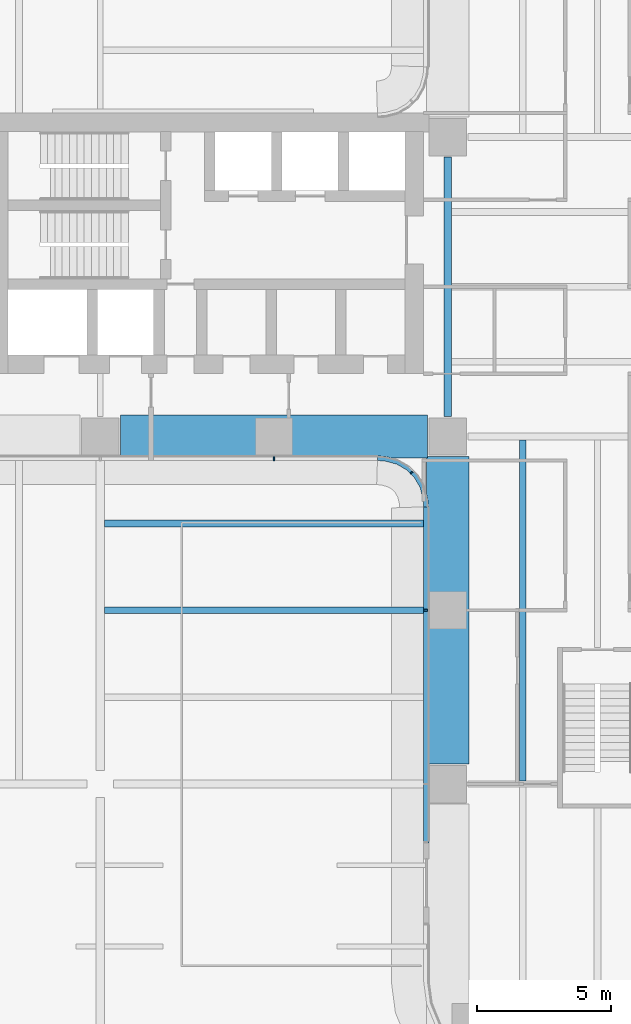
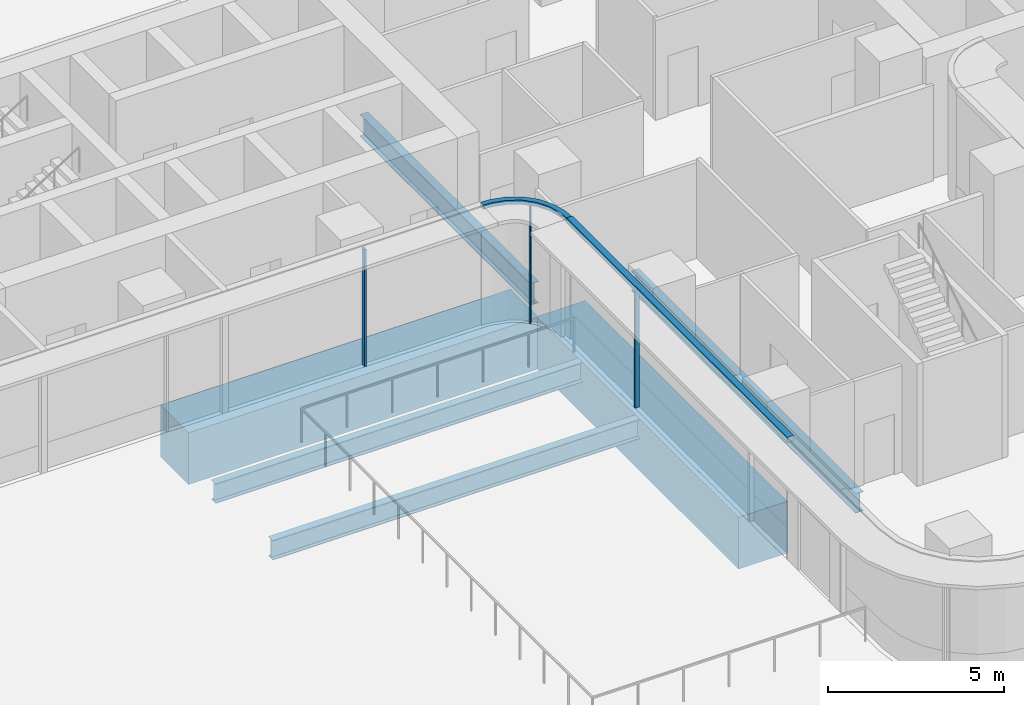
# One storey, part 4 of 29: 6 beams, 5 members, 3 elements without a shape of their own.
"""IFC4 building model written with IfcOpenShell, lengths in metres."""

from ifc_helpers import new_model, si_unit, direction, frame, origin, origin_2d, place, context, subcontext, project, spatial, polyline, rectangle, i_section, outline, extrude, source, transform, mapped, material, layer, layer_set, material_profile, profile_set, type_object, element, aggregate, save


model = new_model("IFC4")

# Units and contexts
model_context = context("Model", 3, precision=1e-05, world=origin(), true_north=direction((0.0, 1.0)))
body_context = subcontext(model_context, "Body", "Model", "MODEL_VIEW")
ifc_project = project(units=[si_unit("LENGTHUNIT", "METRE"), si_unit("AREAUNIT", "SQUARE_METRE"), si_unit("VOLUMEUNIT", "CUBIC_METRE"), si_unit("PLANEANGLEUNIT", "RADIAN"), si_unit("MASSUNIT", "GRAM", prefix="KILO")], contexts=[model_context])

# Site, building, storey
site_placement = place(None, origin())
site = spatial("IfcSite", under=ifc_project, at=site_placement, CompositionType="ELEMENT")
building_placement = place(site_placement, origin())
building = spatial("IfcBuilding", under=site, at=building_placement, Name="Trellis Farm Tower", CompositionType="ELEMENT")
storey_placement = place(building_placement, frame((0.0, 0.0, 34.0)))
storey = spatial("IfcBuildingStorey", under=building, at=storey_placement, Name="L06", CompositionType="ELEMENT", Elevation=34.0)

# Beams
ifc_material_1 = material(Name="Steel S355", Category="steel")
ifc_material_profile_1 = material_profile(ifc_material_1, i_section(OverallWidth=0.253662109375, OverallDepth=0.68359375, WebThickness=0.012451171875, FlangeThickness=0.021728515625, FilletRadius=0.01513671875, at=origin_2d()), Name="UB 686x254x140")
ifc_profile_set_1 = profile_set([ifc_material_profile_1], Name="Steel S355")
beam_type_1 = type_object("IfcBeamType", Name="UB 686x254x140 joist", PredefinedType="JOIST", material=ifc_profile_set_1)
shared_shape_1 = source(origin(), body_context, "Body", "SweptSolid", [
    extrude(i_section(OverallWidth=0.253662109375, OverallDepth=0.68359375, WebThickness=0.012451171875, FlangeThickness=0.021728515625, FilletRadius=0.01513671875, at=origin_2d()), origin(), (0.0, 0.0, 1.0), 12.761962890625),
])
beam_1_placement = place(storey_placement, frame((-2.800048828125, -18.495361328125, -0.691650390625), z_axis=(0.0, 1.0, 0.0), x_axis=(-1.0, 0.0, 0.0)))
element("IfcBeam", 1, at=beam_1_placement, inside=storey, type_object=beam_type_1, Name="Floor beam", PredefinedType="JOIST", context=body_context, shape_type="MappedRepresentation", body=[
    mapped(shared_shape_1, transform((0.0, 0.0, 0.0))),
])
ifc_material_profile_2 = material_profile(ifc_material_1, i_section(OverallWidth=0.2666015625, OverallDepth=0.76220703125, WebThickness=0.014404296875, FlangeThickness=0.021484375, FilletRadius=0.0166015625, at=origin_2d()), Name="UB 762x267x173")
ifc_profile_set_2 = profile_set([ifc_material_profile_2], Name="Steel S355")
beam_type_2 = type_object("IfcBeamType", Name="UB 762x267x173", PredefinedType="BEAM", material=ifc_profile_set_2)
shared_shape_2 = source(origin(), body_context, "Body", "SweptSolid", [
    extrude(i_section(OverallWidth=0.2666015625, OverallDepth=0.76220703125, WebThickness=0.014404296875, FlangeThickness=0.021484375, FilletRadius=0.0166015625, at=origin_2d()), origin(), (0.0, 0.0, 1.0), 9.7001953125),
])
beam_2_placement = place(storey_placement, frame((-5.60009765625, -4.85009765625, -0.731201171875), z_axis=(0.0, 1.0, 0.0), x_axis=(-1.0, 0.0, 0.0)))
element("IfcBeam", 2, at=beam_2_placement, inside=storey, type_object=beam_type_2, Name="Girder", PredefinedType="BEAM", context=body_context, shape_type="MappedRepresentation", body=[
    mapped(shared_shape_2, transform((0.0, 0.0, 0.0))),
])
ifc_material_2 = material(Name="Concrete C80/95", Category="concrete")
ifc_material_profile_3 = material_profile(ifc_material_2, rectangle(XDim=1.60009765625, YDim=1.800048828125, at=origin_2d()), Name="RC transfer beam 1600x1800 C80/95")
ifc_profile_set_3 = profile_set([ifc_material_profile_3], Name="Concrete C80/95")
beam_type_3 = type_object("IfcBeamType", Name="RC transfer beam 1600x1800 C80/95", PredefinedType="BEAM", material=ifc_profile_set_3)
shared_shape_3 = source(origin(), body_context, "Body", "SweptSolid", [
    extrude(rectangle(XDim=1.60009765625, YDim=1.800048828125, at=origin_2d()), origin(), (0.0, 0.0, 1.0), 11.5),
])
for number, where, z_axis, x_axis, name in (
    (3, (-17.85009765625, -5.60009765625, -1.25), (1.0, 0.0, 0.0), (0.0, 1.0, 0.0), "Transfer girder"),
    (4, (-5.60009765625, -17.85009765625, -1.25), (0.0, 1.0, 0.0), (-1.0, 0.0, 0.0), "Transfer girder"),
):
    element("IfcBeam", number, at=place(storey_placement, frame(where, z_axis=z_axis, x_axis=x_axis)), inside=storey, type_object=beam_type_3, Name=name, PredefinedType="BEAM", context=body_context, shape_type="MappedRepresentation", body=[
        mapped(shared_shape_3, transform((0.0, 0.0, 0.0))),
    ])
shared_shape_4 = source(origin(), body_context, "Body", "SweptSolid", [
    extrude(i_section(OverallWidth=0.253662109375, OverallDepth=0.68359375, WebThickness=0.012451171875, FlangeThickness=0.021728515625, FilletRadius=0.01513671875, at=origin_2d()), origin(), (0.0, 0.0, 1.0), 12.04736328125),
])
for number, where, z_axis, x_axis, name in (
    (5, (-18.447265625, -12.10009765625, -0.691650390625), (1.0, 0.0, 0.0), (0.0, 1.0, 0.0), "Floor beam"),
    (6, (-18.447265625, -8.85009765625, -0.691650390625), (1.0, 0.0, 0.0), (0.0, 1.0, 0.0), "Floor beam"),
):
    element("IfcBeam", number, at=place(storey_placement, frame(where, z_axis=z_axis, x_axis=x_axis)), inside=storey, type_object=beam_type_1, Name=name, PredefinedType="JOIST", context=body_context, shape_type="MappedRepresentation", body=[
        mapped(shared_shape_4, transform((0.0, 0.0, 0.0))),
    ])

# Curtain wall, member
ifc_material_3 = material(Name="Aluminium and glass curtain wall", Category="aluminium")
ifc_layer_1 = layer(ifc_material_3, 0.18994140625)
ifc_layer_set_1 = layer_set([ifc_layer_1], Name="RIBBON CURTAIN WALL CW1")
curtain_wall_type_1 = type_object("IfcCurtainWallType", Name="RIBBON CURTAIN WALL CW1", PredefinedType="NOTDEFINED", material=ifc_layer_set_1)
placement = place(storey_placement, origin())
curtain_wall_1 = element("IfcCurtainWall", 7, at=placement, inside=storey, type_object=curtain_wall_type_1, Name="CW1 001", PredefinedType="NOTDEFINED")
ifc_material_4 = material(Name="Aluminium extrusion 6063-T6", Category="aluminium")
ifc_material_profile_4 = material_profile(ifc_material_4, rectangle(XDim=0.06005859375, YDim=0.14990234375, at=origin_2d()), Name="MULLION 60x150")
ifc_profile_set_4 = profile_set([ifc_material_profile_4], Name="Aluminium extrusion 6063-T6")
member_type_1 = type_object("IfcMemberType", Name="CW1 MULLION 60x150", PredefinedType="MULLION", material=ifc_profile_set_4)
shared_shape_5 = source(origin(), body_context, "Body", "SweptSolid", [
    extrude(rectangle(XDim=0.06005859375, YDim=0.14990234375, at=origin_2d()), origin(), (0.0, 0.0, 1.0), 4.070068359375),
])
member_1_placement = place(storey_placement, frame((-12.10009765625, -6.425048828125, 0.0), z_axis=(0.0, 0.0, 1.0), x_axis=(1.0, 0.0, 0.0)))
member_1 = element("IfcMember", 8, at=member_1_placement, type_object=member_type_1, Name="MU1 001-03", PredefinedType="MULLION", context=body_context, shape_type="MappedRepresentation", body=[
    mapped(shared_shape_5, transform((0.0, 0.0, 0.0))),
])
aggregate(curtain_wall_1, [member_1])

curtain_wall_2 = element("IfcCurtainWall", 9, at=placement, inside=storey, type_object=curtain_wall_type_1, Name="CW1 002", PredefinedType="NOTDEFINED")
member_2_placement = place(storey_placement, frame((-6.425048828125, -12.10009765625, 0.0), z_axis=(0.0, 0.0, 1.0), x_axis=(0.0, -1.0, 0.0)))
member_2 = element("IfcMember", 10, at=member_2_placement, type_object=member_type_1, Name="MU1 002-01", PredefinedType="MULLION", context=body_context, shape_type="MappedRepresentation", body=[
    mapped(shared_shape_5, transform((0.0, 0.0, 0.0))),
])

# Curtain wall, members
ifc_layer_2 = layer(ifc_material_3, 0.166015625)
ifc_layer_set_2 = layer_set([ifc_layer_2], Name="WINTER GARDEN CURTAIN WALL CW3")
curtain_wall_type_2 = type_object("IfcCurtainWallType", Name="WINTER GARDEN CURTAIN WALL CW3", PredefinedType="NOTDEFINED", material=ifc_layer_set_2)
curtain_wall_3 = element("IfcCurtainWall", 11, at=placement, inside=storey, type_object=curtain_wall_type_2, Name="CW3 001", PredefinedType="NOTDEFINED")
ifc_material_profile_5 = material_profile(ifc_material_4, rectangle(XDim=0.050048828125, YDim=0.1201171875, at=origin_2d()), Name="MULLION 50x120")
ifc_profile_set_5 = profile_set([ifc_material_profile_5], Name="Aluminium extrusion 6063-T6")
member_type_2 = type_object("IfcMemberType", Name="CW3 MULLION 50x120", PredefinedType="MULLION", material=ifc_profile_set_5)
shared_shape_6 = source(origin(), body_context, "Body", "SweptSolid", [
    extrude(rectangle(XDim=0.050048828125, YDim=0.1201171875, at=origin_2d()), origin(), (0.0, 0.0, 1.0), 4.10009765625),
])
member_3_placement = place(storey_placement, frame((-6.953125, -6.953125, 0.0), z_axis=(0.0, 0.0, 1.0), x_axis=(0.707106781187, -0.707106781187, 0.0)))
member_3 = element("IfcMember", 12, at=member_3_placement, type_object=member_type_2, Name="MU3 001-01", PredefinedType="MULLION", context=body_context, shape_type="MappedRepresentation", body=[
    mapped(shared_shape_6, transform((0.0, 0.0, 0.0))),
])
ifc_layer_3 = layer(ifc_material_4, 0.169921875)
ifc_layer_set_3 = layer_set([ifc_layer_3], Name="Aluminium extrusion 6063-T6")
member_type_3 = type_object("IfcMemberType", Name="CW3 TRANSOM 170x150", PredefinedType="USERDEFINED", material=ifc_layer_set_3)
shared_shape_7 = source(origin(), body_context, "Body", "SweptSolid", [
    extrude(outline(polyline([(-8.2314453125, -6.5), (-8.01953125, -6.513916015625), (-7.91552734375, -6.527587890625), (-7.508544921875, -6.63671875), (-7.144287109375, -6.846923828125), (-6.846923828125, -7.144287109375), (-6.63671875, -7.508544921875), (-6.527587890625, -7.91552734375), (-6.513916015625, -8.01953125), (-6.5, -8.2314453125), (-6.330078125, -8.225830078125), (-6.3447265625, -8.0029296875), (-6.360595703125, -7.88232421875), (-6.478271484375, -7.44287109375), (-6.7109375, -7.0400390625), (-7.0400390625, -6.7109375), (-7.44287109375, -6.478271484375), (-7.88232421875, -6.360595703125), (-8.0029296875, -6.3447265625), (-8.225830078125, -6.330078125), (-8.2314453125, -6.5)])), origin(), (0.0, 0.0, 1.0), 0.14990234375),
])
member_4_placement = place(storey_placement, frame((0.0, 0.0, 4.10009765625)))
member_4 = element("IfcMember", 13, at=member_4_placement, type_object=member_type_3, Name="TR3 001", ObjectType="TRANSOM", PredefinedType="USERDEFINED", context=body_context, shape_type="MappedRepresentation", body=[
    mapped(shared_shape_7, transform((0.0, 0.0, 0.0))),
])
aggregate(curtain_wall_3, [member_3, member_4])

# Member
ifc_layer_4 = layer(ifc_material_4, 0.199951171875)
ifc_layer_set_4 = layer_set([ifc_layer_4], Name="Aluminium extrusion 6063-T6")
member_type_4 = type_object("IfcMemberType", Name="CW1 TRANSOM 200x180", PredefinedType="USERDEFINED", material=ifc_layer_set_4)
shared_shape_8 = source(origin(), body_context, "Body", "SweptSolid", [
    extrude(outline(polyline([(-6.5, -8.2314453125), (-6.5, -20.800048828125), (-6.300048828125, -20.800048828125), (-6.300048828125, -8.224853515625), (-6.5, -8.2314453125)])), origin(), (0.0, 0.0, 1.0), 0.179931640625),
])
member_5_placement = place(storey_placement, frame((0.0, 0.0, 4.070068359375)))
member_5 = element("IfcMember", 14, at=member_5_placement, type_object=member_type_4, Name="TR1 002", ObjectType="TRANSOM", PredefinedType="USERDEFINED", context=body_context, shape_type="MappedRepresentation", body=[
    mapped(shared_shape_8, transform((0.0, 0.0, 0.0))),
])

aggregate(curtain_wall_2, [member_2, member_5])

save(model, "model.ifc")
